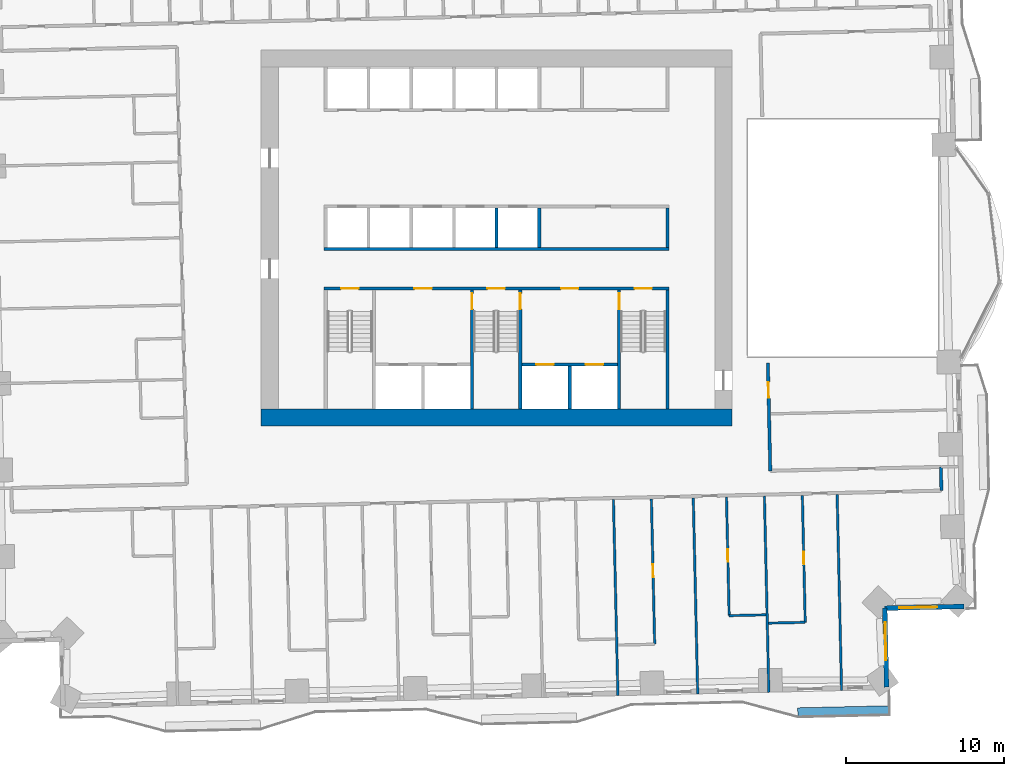
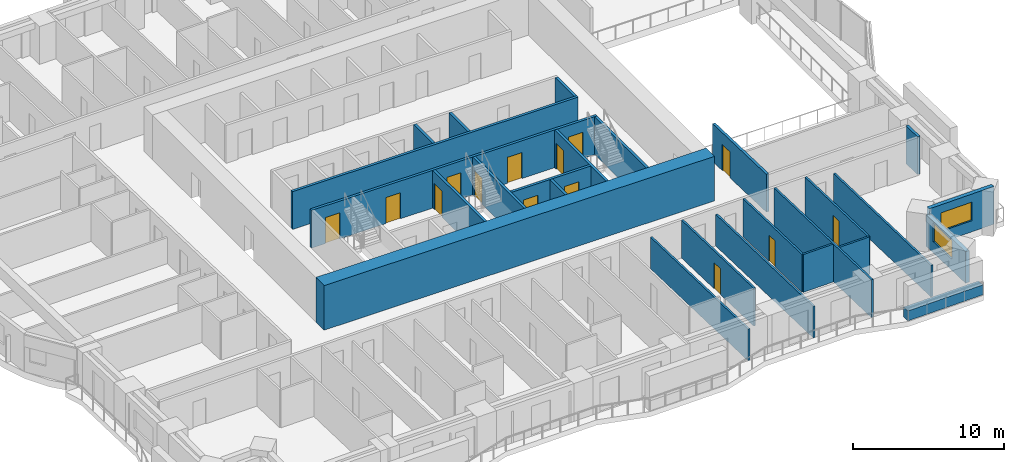
# One storey, part 7 of 16: 26 walls, 14 doors, 2 windows, 16 openings.
"""IFC4 building model written with IfcOpenShell, lengths in metres."""

from ifc_helpers import new_model, si_unit, direction, frame, frame_2d, origin, place, context, subcontext, project, spatial, rectangle, extrude, material, layer, layer_set, type_object, element, fill, save


model = new_model("IFC4")

# Units and contexts
model_context = context("Model", 3, precision=1e-05, world=origin(), true_north=direction((0.0, 1.0)))
body_context = subcontext(model_context, "Body", "Model", "MODEL_VIEW")
ifc_project = project(units=[si_unit("LENGTHUNIT", "METRE"), si_unit("AREAUNIT", "SQUARE_METRE"), si_unit("VOLUMEUNIT", "CUBIC_METRE"), si_unit("PLANEANGLEUNIT", "RADIAN"), si_unit("MASSUNIT", "GRAM", prefix="KILO")], contexts=[model_context])

# Site, building, storey
site_placement = place(None, origin())
site = spatial("IfcSite", under=ifc_project, at=site_placement, CompositionType="ELEMENT")
building_placement = place(site_placement, origin())
building = spatial("IfcBuilding", under=site, at=building_placement, Name="Mangrove Gate Tower", CompositionType="ELEMENT")
storey_placement = place(building_placement, frame((0.0, 0.0, 48.5)))
storey = spatial("IfcBuildingStorey", under=building, at=storey_placement, Name="L11", CompositionType="ELEMENT", Elevation=48.5)

# Walls
ifc_material_1 = material(Name="Concrete C32/40", Category="concrete")
ifc_layer_1 = layer(ifc_material_1, 0.199951171875)
ifc_layer_set_1 = layer_set([ifc_layer_1], Name="Core room wall 200 C32/40")
wall_type_1 = type_object("IfcWallType", Name="Core room wall 200 C32/40", PredefinedType="STANDARD", material=ifc_layer_set_1)
wall_1_placement = place(storey_placement, frame((10.800048828125, -0.60009765625, 0.0), z_axis=(0.0, 0.0, 1.0), x_axis=(0.0, 1.0, 0.0)))
element("IfcWall", 1, at=wall_1_placement, inside=storey, type_object=wall_type_1, Name="WALL-L11-CORE-25", PredefinedType="STANDARD", context=body_context, shape_type="SweptSolid", body=[
    extrude(rectangle(XDim=2.5, YDim=0.199951171875, at=frame_2d((1.25, 0.0))), origin(), (0.0, 0.0, 1.0), 3.050048828125),
])
ifc_material_2 = material(Name="Concrete C70/85", Category="concrete")
ifc_layer_2 = layer(ifc_material_2, 0.199951171875)
ifc_layer_set_2 = layer_set([ifc_layer_2], Name="Core shaft wall 200 C70/85")
wall_type_2 = type_object("IfcWallType", Name="Core shaft wall 200 C70/85", PredefinedType="SHEAR", material=ifc_layer_set_2)
wall_2_placement = place(storey_placement, frame((-10.89990234375, -0.699951171875, 0.0), z_axis=(0.0, 0.0, 1.0), x_axis=(1.0, 0.0, 0.0)))
element("IfcWall", 2, at=wall_2_placement, inside=storey, type_object=wall_type_2, Name="WALL-L11-CORE-6", PredefinedType="SHEAR", context=body_context, shape_type="SweptSolid", body=[
    extrude(rectangle(XDim=21.7998046875, YDim=0.199951171875, at=frame_2d((10.89990234375, 0.0))), origin(), (0.0, 0.0, 1.0), 3.050048828125),
])

# Wall, openings, doors
wall_3_placement = place(storey_placement, frame((1.60009765625, -8.0, 0.0), z_axis=(0.0, 0.0, 1.0), x_axis=(1.0, 0.0, 0.0)))
wall_3 = element("IfcWall", 3, at=wall_3_placement, inside=storey, type_object=wall_type_2, Name="WALL-L11-CORE-17", PredefinedType="SHEAR", context=body_context, shape_type="SweptSolid", body=[
    extrude(rectangle(XDim=6.0498046875, YDim=0.199951171875, at=frame_2d((3.02490234375, 0.0))), origin(), (0.0, 0.0, 1.0), 3.050048828125),
])
opening_1_placement = place(wall_3_placement, frame((0.91259765625, 0.0, 0.0)))
opening_1 = element("IfcOpeningElement", 4, at=opening_1_placement, cuts=wall_3, Name="Opening LD", PredefinedType="OPENING", context=body_context, shape_type="SweptSolid", body=[
    extrude(rectangle(XDim=1.10009765625, YDim=2.10009765625, at=frame_2d((0.550048828125, 1.050048828125))), frame((0.0, 0.10986328125, 0.0), z_axis=(0.0, -1.0, 0.0), x_axis=(1.0, 0.0, 0.0)), (0.0, 0.0, 1.0), 0.219970703125),
])
opening_2_placement = place(wall_3_placement, frame((4.03759765625, 0.0, 0.0)))
opening_2 = element("IfcOpeningElement", 5, at=opening_2_placement, cuts=wall_3, Name="Opening LD", PredefinedType="OPENING", context=body_context, shape_type="SweptSolid", body=[
    extrude(rectangle(XDim=1.10009765625, YDim=2.10009765625, at=frame_2d((0.550048828125, 1.050048828125))), frame((0.0, 0.10986328125, 0.0), z_axis=(0.0, -1.0, 0.0), x_axis=(1.0, 0.0, 0.0)), (0.0, 0.0, 1.0), 0.219970703125),
])
ifc_material_3 = material(Name="Stainless steel 316", Category="steel")
door_type_1 = type_object("IfcDoorType", Name="Lift landing door 1100x2100", OperationType="SLIDING_TO_LEFT", PredefinedType="DOOR", material=ifc_material_3)
door_1_placement = place(opening_1_placement, origin())
door_1 = element("IfcDoor", 6, at=door_1_placement, inside=storey, type_object=door_type_1, Name="Landing door LD FFL1", OperationType="SLIDING_TO_LEFT", OverallHeight=2.10009765625, OverallWidth=1.10009765625, PredefinedType="DOOR", context=body_context, shape_type="SweptSolid", body=[
    extrude(rectangle(XDim=1.10009765625, YDim=2.10009765625, at=frame_2d((0.550048828125, 1.050048828125))), frame((0.0, 0.02490234375, 0.0), z_axis=(0.0, -1.0, 0.0), x_axis=(1.0, 0.0, 0.0)), (0.0, 0.0, 1.0), 0.050048828125),
])
fill(opening_1, door_1)
door_2_placement = place(opening_2_placement, origin())
door_2 = element("IfcDoor", 7, at=door_2_placement, inside=storey, type_object=door_type_1, Name="Landing door LD FFL2", OperationType="SLIDING_TO_LEFT", OverallHeight=2.10009765625, OverallWidth=1.10009765625, PredefinedType="DOOR", context=body_context, shape_type="SweptSolid", body=[
    extrude(rectangle(XDim=1.10009765625, YDim=2.10009765625, at=frame_2d((0.550048828125, 1.050048828125))), frame((0.0, 0.02490234375, 0.0), z_axis=(0.0, -1.0, 0.0), x_axis=(1.0, 0.0, 0.0)), (0.0, 0.0, 1.0), 0.050048828125),
])
fill(opening_2, door_2)

# Walls
wall_4_placement = place(storey_placement, frame((4.625, -10.800048828125, 0.0), z_axis=(0.0, 0.0, 1.0), x_axis=(0.0, 1.0, 0.0)))
element("IfcWall", 8, at=wall_4_placement, inside=storey, type_object=wall_type_2, Name="WALL-L11-CORE-18", PredefinedType="SHEAR", context=body_context, shape_type="SweptSolid", body=[
    extrude(rectangle(XDim=2.699951171875, YDim=0.199951171875, at=frame_2d((1.35009765625, 0.0))), origin(), (0.0, 0.0, 1.0), 3.050048828125),
])
for number, where, z_axis, x_axis, name in (
    (9, (0.0, -0.60009765625, 0.0), (0.0, 0.0, 1.0), (0.0, 1.0, 0.0), "WALL-L11-CORE-23"),
    (10, (2.699951171875, -0.60009765625, 0.0), (0.0, 0.0, 1.0), (0.0, 1.0, 0.0), "WALL-L11-CORE-24"),
):
    element("IfcWall", number, at=place(storey_placement, frame(where, z_axis=z_axis, x_axis=x_axis)), inside=storey, type_object=wall_type_2, Name=name, PredefinedType="SHEAR", context=body_context, shape_type="SweptSolid", body=[
        extrude(rectangle(XDim=2.5, YDim=0.199951171875, at=frame_2d((1.25, 0.0))), origin(), (0.0, 0.0, 1.0), 3.050048828125),
    ])

# Wall, openings, doors
ifc_material_4 = material(Name="Concrete C70/85", Category="concrete")
ifc_layer_3 = layer(ifc_material_4, 0.199951171875)
ifc_layer_set_3 = layer_set([ifc_layer_3], Name="Core stair wall 200 C70/85")
wall_type_3 = type_object("IfcWallType", Name="Core stair wall 200 C70/85", PredefinedType="SHEAR", material=ifc_layer_set_3)
wall_5_placement = place(storey_placement, frame((-10.89990234375, -3.199951171875, 0.0), z_axis=(0.0, 0.0, 1.0), x_axis=(1.0, 0.0, 0.0)))
wall_5 = element("IfcWall", 11, at=wall_5_placement, inside=storey, type_object=wall_type_3, Name="WALL-L11-CORE-5", PredefinedType="SHEAR", context=body_context, shape_type="SweptSolid", body=[
    extrude(rectangle(XDim=21.7998046875, YDim=0.199951171875, at=frame_2d((10.89990234375, 0.0))), origin(), (0.0, 0.0, 1.0), 3.050048828125),
])
opening_3_placement = place(wall_5_placement, frame((1.074951171875, 0.0, 0.0)))
opening_3 = element("IfcOpeningElement", 12, at=opening_3_placement, cuts=wall_5, Name="Opening STD11", PredefinedType="OPENING", context=body_context, shape_type="SweptSolid", body=[
    extrude(rectangle(XDim=1.10009765625, YDim=2.10009765625, at=frame_2d((0.550048828125, 1.050048828125))), frame((0.0, 0.10986328125, 0.0), z_axis=(0.0, -1.0, 0.0), x_axis=(1.0, 0.0, 0.0)), (0.0, 0.0, 1.0), 0.219970703125),
])
opening_4_placement = place(wall_5_placement, frame((10.324951171875, 0.0, 0.0)))
opening_4 = element("IfcOpeningElement", 13, at=opening_4_placement, cuts=wall_5, Name="Opening STD11", PredefinedType="OPENING", context=body_context, shape_type="SweptSolid", body=[
    extrude(rectangle(XDim=1.10009765625, YDim=2.10009765625, at=frame_2d((0.550048828125, 1.050048828125))), frame((0.0, 0.10986328125, 0.0), z_axis=(0.0, -1.0, 0.0), x_axis=(1.0, 0.0, 0.0)), (0.0, 0.0, 1.0), 0.219970703125),
])
opening_5_placement = place(wall_5_placement, frame((19.625, 0.0, 0.0)))
opening_5 = element("IfcOpeningElement", 14, at=opening_5_placement, cuts=wall_5, Name="Opening STD11", PredefinedType="OPENING", context=body_context, shape_type="SweptSolid", body=[
    extrude(rectangle(XDim=1.10009765625, YDim=2.10009765625, at=frame_2d((0.550048828125, 1.050048828125))), frame((0.0, 0.10986328125, 0.0), z_axis=(0.0, -1.0, 0.0), x_axis=(1.0, 0.0, 0.0)), (0.0, 0.0, 1.0), 0.219970703125),
])
opening_6_placement = place(wall_5_placement, frame((5.699951171875, 0.0, 0.0)))
opening_6 = element("IfcOpeningElement", 15, at=opening_6_placement, cuts=wall_5, Name="Opening FL", PredefinedType="OPENING", context=body_context, shape_type="SweptSolid", body=[
    extrude(rectangle(XDim=1.10009765625, YDim=2.10009765625, at=frame_2d((0.550048828125, 1.050048828125))), frame((0.0, 0.10986328125, 0.0), z_axis=(0.0, -1.0, 0.0), x_axis=(1.0, 0.0, 0.0)), (0.0, 0.0, 1.0), 0.219970703125),
])
opening_7_placement = place(wall_5_placement, frame((14.97509765625, 0.0, 0.0)))
opening_7 = element("IfcOpeningElement", 16, at=opening_7_placement, cuts=wall_5, Name="Opening FL", PredefinedType="OPENING", context=body_context, shape_type="SweptSolid", body=[
    extrude(rectangle(XDim=1.10009765625, YDim=2.10009765625, at=frame_2d((0.550048828125, 1.050048828125))), frame((0.0, 0.10986328125, 0.0), z_axis=(0.0, -1.0, 0.0), x_axis=(1.0, 0.0, 0.0)), (0.0, 0.0, 1.0), 0.219970703125),
])
ifc_material_5 = material(Name="Fire-rated steel door set", Category="steel")
door_type_2 = type_object("IfcDoorType", Name="Lobby door FD60 1100x2100", OperationType="SINGLE_SWING_LEFT", PredefinedType="DOOR", material=ifc_material_5)
door_3_placement = place(opening_6_placement, origin())
door_3 = element("IfcDoor", 17, at=door_3_placement, inside=storey, type_object=door_type_2, Name="Lobby door service lobby", OperationType="SINGLE_SWING_LEFT", OverallHeight=2.10009765625, OverallWidth=1.10009765625, PredefinedType="DOOR", context=body_context, shape_type="SweptSolid", body=[
    extrude(rectangle(XDim=1.10009765625, YDim=2.10009765625, at=frame_2d((0.550048828125, 1.050048828125))), frame((0.0, 0.02490234375, 0.0), z_axis=(0.0, -1.0, 0.0), x_axis=(1.0, 0.0, 0.0)), (0.0, 0.0, 1.0), 0.050048828125),
])
fill(opening_6, door_3)
door_4_placement = place(opening_7_placement, origin())
door_4 = element("IfcDoor", 18, at=door_4_placement, inside=storey, type_object=door_type_2, Name="Lobby door fire-fighting lobby", OperationType="SINGLE_SWING_LEFT", OverallHeight=2.10009765625, OverallWidth=1.10009765625, PredefinedType="DOOR", context=body_context, shape_type="SweptSolid", body=[
    extrude(rectangle(XDim=1.10009765625, YDim=2.10009765625, at=frame_2d((0.550048828125, 1.050048828125))), frame((0.0, 0.02490234375, 0.0), z_axis=(0.0, -1.0, 0.0), x_axis=(1.0, 0.0, 0.0)), (0.0, 0.0, 1.0), 0.050048828125),
])
fill(opening_7, door_4)
ifc_material_6 = material(Name="Fire-rated steel door set", Category="steel")
door_type_3 = type_object("IfcDoorType", Name="Stair door FD60 1100x2100", OperationType="SINGLE_SWING_RIGHT", PredefinedType="DOOR", material=ifc_material_6)
door_5_placement = place(opening_3_placement, origin())
door_5 = element("IfcDoor", 19, at=door_5_placement, inside=storey, type_object=door_type_3, Name="Stair door Stair 1", OperationType="SINGLE_SWING_RIGHT", OverallHeight=2.10009765625, OverallWidth=1.10009765625, PredefinedType="DOOR", context=body_context, shape_type="SweptSolid", body=[
    extrude(rectangle(XDim=1.10009765625, YDim=2.10009765625, at=frame_2d((0.550048828125, 1.050048828125))), frame((0.0, 0.02490234375, 0.0), z_axis=(0.0, -1.0, 0.0), x_axis=(1.0, 0.0, 0.0)), (0.0, 0.0, 1.0), 0.050048828125),
])
fill(opening_3, door_5)
door_6_placement = place(opening_4_placement, origin())
door_6 = element("IfcDoor", 20, at=door_6_placement, inside=storey, type_object=door_type_3, Name="Stair door Stair 2", OperationType="SINGLE_SWING_RIGHT", OverallHeight=2.10009765625, OverallWidth=1.10009765625, PredefinedType="DOOR", context=body_context, shape_type="SweptSolid", body=[
    extrude(rectangle(XDim=1.10009765625, YDim=2.10009765625, at=frame_2d((0.550048828125, 1.050048828125))), frame((0.0, 0.02490234375, 0.0), z_axis=(0.0, -1.0, 0.0), x_axis=(1.0, 0.0, 0.0)), (0.0, 0.0, 1.0), 0.050048828125),
])
fill(opening_4, door_6)
door_7_placement = place(opening_5_placement, origin())
door_7 = element("IfcDoor", 21, at=door_7_placement, inside=storey, type_object=door_type_3, Name="Stair door Stair 3", OperationType="SINGLE_SWING_RIGHT", OverallHeight=2.10009765625, OverallWidth=1.10009765625, PredefinedType="DOOR", context=body_context, shape_type="SweptSolid", body=[
    extrude(rectangle(XDim=1.10009765625, YDim=2.10009765625, at=frame_2d((0.550048828125, 1.050048828125))), frame((0.0, 0.02490234375, 0.0), z_axis=(0.0, -1.0, 0.0), x_axis=(1.0, 0.0, 0.0)), (0.0, 0.0, 1.0), 0.050048828125),
])
fill(opening_5, door_7)

# Wall, opening, door
wall_6_placement = place(storey_placement, frame((-1.550048828125, -10.800048828125, 0.0), z_axis=(0.0, 0.0, 1.0), x_axis=(0.0, 1.0, 0.0)))
wall_6 = element("IfcWall", 22, at=wall_6_placement, inside=storey, type_object=wall_type_3, Name="WALL-L11-CORE-11", PredefinedType="SHEAR", context=body_context, shape_type="SweptSolid", body=[
    extrude(rectangle(XDim=7.5, YDim=0.199951171875, at=frame_2d((3.75, 0.0))), origin(), (0.0, 0.0, 1.0), 3.050048828125),
])
opening_8_placement = place(wall_6_placement, frame((6.300048828125, 0.0, 0.0)))
opening_8 = element("IfcOpeningElement", 23, at=opening_8_placement, cuts=wall_6, Name="Opening STD10", PredefinedType="OPENING", context=body_context, shape_type="SweptSolid", body=[
    extrude(rectangle(XDim=1.0, YDim=2.10009765625, at=frame_2d((0.5, 1.050048828125))), frame((0.0, 0.10986328125, 0.0), z_axis=(0.0, -1.0, 0.0), x_axis=(1.0, 0.0, 0.0)), (0.0, 0.0, 1.0), 0.219970703125),
])
ifc_material_7 = material(Name="Fire-rated steel door set", Category="steel")
door_type_4 = type_object("IfcDoorType", Name="Stair door FD60 1000x2100", OperationType="SINGLE_SWING_RIGHT", PredefinedType="DOOR", material=ifc_material_7)
door_8_placement = place(opening_8_placement, origin())
door_8 = element("IfcDoor", 24, at=door_8_placement, inside=storey, type_object=door_type_4, Name="Stair door Stair 2 from service lobby", OperationType="SINGLE_SWING_RIGHT", OverallHeight=2.10009765625, OverallWidth=1.0, PredefinedType="DOOR", context=body_context, shape_type="SweptSolid", body=[
    extrude(rectangle(XDim=1.0, YDim=2.10009765625, at=frame_2d((0.5, 1.050048828125))), frame((0.0, 0.02490234375, 0.0), z_axis=(0.0, -1.0, 0.0), x_axis=(1.0, 0.0, 0.0)), (0.0, 0.0, 1.0), 0.050048828125),
])
fill(opening_8, door_8)

wall_7_placement = place(storey_placement, frame((1.5, -10.800048828125, 0.0), z_axis=(0.0, 0.0, 1.0), x_axis=(0.0, 1.0, 0.0)))
wall_7 = element("IfcWall", 25, at=wall_7_placement, inside=storey, type_object=wall_type_3, Name="WALL-L11-CORE-12", PredefinedType="SHEAR", context=body_context, shape_type="SweptSolid", body=[
    extrude(rectangle(XDim=7.5, YDim=0.199951171875, at=frame_2d((3.75, 0.0))), origin(), (0.0, 0.0, 1.0), 3.050048828125),
])
opening_9_placement = place(wall_7_placement, frame((6.300048828125, 0.0, 0.0)))
opening_9 = element("IfcOpeningElement", 26, at=opening_9_placement, cuts=wall_7, Name="Opening STD10", PredefinedType="OPENING", context=body_context, shape_type="SweptSolid", body=[
    extrude(rectangle(XDim=1.0, YDim=2.10009765625, at=frame_2d((0.5, 1.050048828125))), frame((0.0, 0.10986328125, 0.0), z_axis=(0.0, -1.0, 0.0), x_axis=(1.0, 0.0, 0.0)), (0.0, 0.0, 1.0), 0.219970703125),
])
door_9_placement = place(opening_9_placement, origin())
door_9 = element("IfcDoor", 27, at=door_9_placement, inside=storey, type_object=door_type_4, Name="Stair door Stair 2 from fire-fighting lobby", OperationType="SINGLE_SWING_RIGHT", OverallHeight=2.10009765625, OverallWidth=1.0, PredefinedType="DOOR", context=body_context, shape_type="SweptSolid", body=[
    extrude(rectangle(XDim=1.0, YDim=2.10009765625, at=frame_2d((0.5, 1.050048828125))), frame((0.0, 0.02490234375, 0.0), z_axis=(0.0, -1.0, 0.0), x_axis=(1.0, 0.0, 0.0)), (0.0, 0.0, 1.0), 0.050048828125),
])
fill(opening_9, door_9)

wall_8_placement = place(storey_placement, frame((7.75, -10.800048828125, 0.0), z_axis=(0.0, 0.0, 1.0), x_axis=(0.0, 1.0, 0.0)))
wall_8 = element("IfcWall", 28, at=wall_8_placement, inside=storey, type_object=wall_type_3, Name="WALL-L11-CORE-13", PredefinedType="SHEAR", context=body_context, shape_type="SweptSolid", body=[
    extrude(rectangle(XDim=7.5, YDim=0.199951171875, at=frame_2d((3.75, 0.0))), origin(), (0.0, 0.0, 1.0), 3.050048828125),
])
opening_10_placement = place(wall_8_placement, frame((6.300048828125, 0.0, 0.0)))
opening_10 = element("IfcOpeningElement", 29, at=opening_10_placement, cuts=wall_8, Name="Opening STD10", PredefinedType="OPENING", context=body_context, shape_type="SweptSolid", body=[
    extrude(rectangle(XDim=1.0, YDim=2.10009765625, at=frame_2d((0.5, 1.050048828125))), frame((0.0, 0.10986328125, 0.0), z_axis=(0.0, -1.0, 0.0), x_axis=(1.0, 0.0, 0.0)), (0.0, 0.0, 1.0), 0.219970703125),
])
door_10_placement = place(opening_10_placement, origin())
door_10 = element("IfcDoor", 30, at=door_10_placement, inside=storey, type_object=door_type_4, Name="Stair door Stair 3 from fire-fighting lobby", OperationType="SINGLE_SWING_RIGHT", OverallHeight=2.10009765625, OverallWidth=1.0, PredefinedType="DOOR", context=body_context, shape_type="SweptSolid", body=[
    extrude(rectangle(XDim=1.0, YDim=2.10009765625, at=frame_2d((0.5, 1.050048828125))), frame((0.0, 0.02490234375, 0.0), z_axis=(0.0, -1.0, 0.0), x_axis=(1.0, 0.0, 0.0)), (0.0, 0.0, 1.0), 0.050048828125),
])
fill(opening_10, door_10)

# Walls
wall_9_placement = place(storey_placement, frame((10.800048828125, -10.800048828125, 0.0), z_axis=(0.0, 0.0, 1.0), x_axis=(0.0, 1.0, 0.0)))
element("IfcWall", 31, at=wall_9_placement, inside=storey, type_object=wall_type_3, Name="WALL-L11-CORE-14", PredefinedType="SHEAR", context=body_context, shape_type="SweptSolid", body=[
    extrude(rectangle(XDim=7.5, YDim=0.199951171875, at=frame_2d((3.75, 0.0))), origin(), (0.0, 0.0, 1.0), 3.050048828125),
])
ifc_material_8 = material(Name="Concrete C70/85", Category="concrete")
ifc_layer_4 = layer(ifc_material_8, 1.10009765625)
ifc_layer_set_4 = layer_set([ifc_layer_4], Name="Core wall 1100 C70/85")
wall_type_4 = type_object("IfcWallType", Name="Core wall 1100 C70/85", PredefinedType="SHEAR", material=ifc_layer_set_4)
wall_10_placement = place(storey_placement, frame((-14.89990234375, -11.35009765625, 0.0), z_axis=(0.0, 0.0, 1.0), x_axis=(1.0, 0.0, 0.0)))
element("IfcWall", 32, at=wall_10_placement, inside=storey, type_object=wall_type_4, Name="WALL-L11-CORE-1", PredefinedType="SHEAR", context=body_context, shape_type="SweptSolid", body=[
    extrude(rectangle(XDim=29.7998046875, YDim=1.10009765625, at=frame_2d((14.89990234375, 0.0))), origin(), (0.0, 0.0, 1.0), 3.60009765625),
])
ifc_material_9 = material(Name="Gypsum board on steel stud, EI 60", Category="steel")
ifc_layer_5 = layer(ifc_material_9, 0.199951171875)
ifc_layer_set_5 = layer_set([ifc_layer_5], Name="Corridor wall EI 60")
wall_type_5 = type_object("IfcWallType", Name="Corridor wall EI 60", PredefinedType="PARTITIONING", material=ifc_layer_set_5)
wall_11_placement = place(storey_placement, frame((28.133056640625, -15.97900390625, 0.0), z_axis=(0.0, 0.0, 1.0), x_axis=(-0.022632637625, 0.99974384905, 0.0)))
element("IfcWall", 33, at=wall_11_placement, inside=storey, type_object=wall_type_5, Name="WALL-L11-033", PredefinedType="PARTITIONING", context=body_context, shape_type="SweptSolid", body=[
    extrude(rectangle(XDim=1.49951171875, YDim=0.199951171875, at=frame_2d((0.749755859375, 0.0))), origin(), (0.0, 0.0, 1.0), 3.050048828125),
])

# Wall, opening, door
wall_12_placement = place(storey_placement, frame((17.31103515625, -14.72412109375, 0.0), z_axis=(0.0, 0.0, 1.0), x_axis=(-0.022562209343, 0.999745440955, 0.0)))
wall_12 = element("IfcWall", 34, at=wall_12_placement, inside=storey, type_object=wall_type_5, Name="WALL-L11-038", PredefinedType="PARTITIONING", context=body_context, shape_type="SweptSolid", body=[
    extrude(rectangle(XDim=6.827880859375, YDim=0.199951171875, at=frame_2d((3.4140625, 0.0))), origin(), (0.0, 0.0, 1.0), 3.050048828125),
])
opening_11_placement = place(wall_12_placement, frame((4.612060546875, 0.0, 0.0)))
opening_11 = element("IfcOpeningElement", 35, at=opening_11_placement, cuts=wall_12, Name="Opening AD", PredefinedType="OPENING", context=body_context, shape_type="SweptSolid", body=[
    extrude(rectangle(XDim=1.0, YDim=2.10009765625, at=frame_2d((0.5, 1.050048828125))), frame((0.0, 0.10986328125, 0.0), z_axis=(0.0, -1.0, 0.0), x_axis=(1.0, 0.0, 0.0)), (0.0, 0.0, 1.0), 0.219970703125),
])
ifc_material_10 = material(Name="Timber door leaf", Category="wood")
door_type_5 = type_object("IfcDoorType", Name="Amenity door 1000", OperationType="SINGLE_SWING_LEFT", PredefinedType="DOOR", material=ifc_material_10)
door_11_placement = place(opening_11_placement, origin())
door_11 = element("IfcDoor", 36, at=door_11_placement, inside=storey, type_object=door_type_5, Name="DOOR-L11-STU-c3b", OperationType="SINGLE_SWING_RIGHT", OverallHeight=2.10009765625, OverallWidth=1.0, PredefinedType="DOOR", context=body_context, shape_type="SweptSolid", body=[
    extrude(rectangle(XDim=1.0, YDim=2.10009765625, at=frame_2d((0.5, 1.050048828125))), frame((0.0, 0.02490234375, 0.0), z_axis=(0.0, -1.0, 0.0), x_axis=(1.0, 0.0, 0.0)), (0.0, 0.0, 1.0), 0.050048828125),
])
fill(opening_11, door_11)

# Wall, opening, window
ifc_material_11 = material(Name="Limestone", Category="masonry")
ifc_layer_6 = layer(ifc_material_11, 0.0400390625, Name="Limestone cladding")
ifc_material_12 = material(Name="Ventilated air gap")
ifc_layer_7 = layer(ifc_material_12, 0.0400390625, Name="Ventilated cavity")
ifc_material_13 = material(Name="Mineral wool insulation")
ifc_layer_8 = layer(ifc_material_13, 0.06005859375, Name="Insulation")
ifc_material_14 = material(Name="Breather membrane")
ifc_layer_9 = layer(ifc_material_14, 0.001953125, Name="Breather membrane")
ifc_material_15 = material(Name="Concrete C20/25 blockwork", Category="masonry")
ifc_layer_10 = layer(ifc_material_15, 0.14990234375, Name="Blockwork backing wall")
ifc_material_16 = material(Name="Gypsum plaster")
ifc_layer_11 = layer(ifc_material_16, 0.008056640625, Name="Internal plaster")
ifc_layer_set_6 = layer_set([ifc_layer_6, ifc_layer_7, ifc_layer_8, ifc_layer_9, ifc_layer_10, ifc_layer_11], Name="External wall 300 limestone cladding")
wall_type_6 = type_object("IfcWallType", Name="External wall 300 limestone cladding", PredefinedType="SOLIDWALL", material=ifc_layer_set_6)
wall_13_placement = place(storey_placement, frame((24.6640625, -28.410888671875, 0.0), z_axis=(0.0, 0.0, 1.0), x_axis=(-0.022802372469, 0.999739992103, 0.0)))
wall_13 = element("IfcWall", 37, at=wall_13_placement, inside=storey, type_object=wall_type_6, Name="WALL-L11-E14", PredefinedType="SOLIDWALL", context=body_context, shape_type="SweptSolid", body=[
    extrude(rectangle(XDim=5.0, YDim=0.300048828125, at=frame_2d((2.5, 0.0))), origin(), (0.0, 0.0, 1.0), 2.550048828125),
])
opening_12_placement = place(wall_13_placement, frame((1.717041015625, 0.0, 0.89990234375)))
opening_12 = element("IfcOpeningElement", 38, at=opening_12_placement, cuts=wall_13, Name="Opening W2", PredefinedType="OPENING", context=body_context, shape_type="SweptSolid", body=[
    extrude(rectangle(XDim=2.39990234375, YDim=1.5, at=frame_2d((1.199951171875, 0.75))), frame((0.0, 0.159912109375, 0.0), z_axis=(0.0, -1.0, 0.0), x_axis=(1.0, 0.0, 0.0)), (0.0, 0.0, 1.0), 0.320068359375),
])
ifc_material_17 = material(Name="Aluminium frame with double-glazed low-e glass", Category="aluminium")
window_type = type_object("IfcWindowType", Name="Corner room window 2400x1500", PartitioningType="DOUBLE_PANEL_VERTICAL", PredefinedType="WINDOW", material=ifc_material_17)
window_1_placement = place(opening_12_placement, origin())
window_1 = element("IfcWindow", 39, at=window_1_placement, inside=storey, type_object=window_type, Name="WIN-L11-E14-1", OverallHeight=1.5, OverallWidth=2.39990234375, PartitioningType="DOUBLE_PANEL_VERTICAL", PredefinedType="WINDOW", context=body_context, shape_type="SweptSolid", body=[
    extrude(rectangle(XDim=2.39990234375, YDim=1.5, at=frame_2d((1.199951171875, 0.75))), frame((0.0, 0.030029296875, 0.0), z_axis=(0.0, -1.0, 0.0), x_axis=(1.0, 0.0, 0.0)), (0.0, 0.0, 1.0), 0.06005859375),
])
fill(opening_12, window_1)

wall_14_placement = place(storey_placement, frame((24.550048828125, -23.412109375, 0.0), z_axis=(0.0, 0.0, 1.0), x_axis=(0.999744450377, 0.022606059803, 0.0)))
wall_14 = element("IfcWall", 40, at=wall_14_placement, inside=storey, type_object=wall_type_6, Name="WALL-L11-S15", PredefinedType="SOLIDWALL", context=body_context, shape_type="SweptSolid", body=[
    extrude(rectangle(XDim=5.000244140625, YDim=0.300048828125, at=frame_2d((2.5, 0.0))), origin(), (0.0, 0.0, 1.0), 3.050048828125),
])
opening_13_placement = place(wall_14_placement, frame((0.9150390625, 0.0, 0.89990234375)))
opening_13 = element("IfcOpeningElement", 41, at=opening_13_placement, cuts=wall_14, Name="Opening W2", PredefinedType="OPENING", context=body_context, shape_type="SweptSolid", body=[
    extrude(rectangle(XDim=2.39990234375, YDim=1.5, at=frame_2d((1.199951171875, 0.75))), frame((0.0, 0.159912109375, 0.0), z_axis=(0.0, -1.0, 0.0), x_axis=(1.0, 0.0, 0.0)), (0.0, 0.0, 1.0), 0.320068359375),
])
window_2_placement = place(opening_13_placement, origin())
window_2 = element("IfcWindow", 42, at=window_2_placement, inside=storey, type_object=window_type, Name="WIN-L11-S15-1", OverallHeight=1.5, OverallWidth=2.39990234375, PartitioningType="DOUBLE_PANEL_VERTICAL", PredefinedType="WINDOW", context=body_context, shape_type="SweptSolid", body=[
    extrude(rectangle(XDim=2.39990234375, YDim=1.5, at=frame_2d((1.199951171875, 0.75))), frame((0.0, 0.030029296875, 0.0), z_axis=(0.0, -1.0, 0.0), x_axis=(1.0, 0.0, 0.0)), (0.0, 0.0, 1.0), 0.06005859375),
])
fill(opening_13, window_2)

# Walls
ifc_material_18 = material(Name="Gypsum board on steel stud, EI 60", Category="steel")
ifc_layer_12 = layer(ifc_material_18, 0.14990234375)
ifc_layer_set_7 = layer_set([ifc_layer_12], Name="Party wall 150 EI 60")
wall_type_7 = type_object("IfcWallType", Name="Party wall 150 EI 60", PredefinedType="PARTITIONING", material=ifc_layer_set_7)
for number, where, z_axis, x_axis, name in (
    (43, (7.672119140625, -28.947021484375, 0.0), (0.0, 0.0, 1.0), (-0.022759867473, 0.999740960666, 0.0), "WALL-L11-007"),
    (44, (12.719970703125, -28.83203125, 0.0), (0.0, 0.0, 1.0), (-0.022661475803, 0.999743195783, 0.0), "WALL-L11-008"),
):
    element("IfcWall", number, at=place(storey_placement, frame(where, z_axis=z_axis, x_axis=x_axis)), inside=storey, type_object=wall_type_7, Name=name, PredefinedType="PARTITIONING", context=body_context, shape_type="SweptSolid", body=[
        extrude(rectangle(XDim=12.400146484375, YDim=0.14990234375, at=frame_2d((6.2001953125, 0.0))), origin(), (0.0, 0.0, 1.0), 2.550048828125),
    ])
wall_15_placement = place(storey_placement, frame((17.218994140625, -28.72998046875, 0.0), z_axis=(0.0, 0.0, 1.0), x_axis=(-0.022661475803, 0.999743195783, 0.0)))
element("IfcWall", 45, at=wall_15_placement, inside=storey, type_object=wall_type_7, Name="WALL-L11-009", PredefinedType="PARTITIONING", context=body_context, shape_type="SweptSolid", body=[
    extrude(rectangle(XDim=12.400146484375, YDim=0.14990234375, at=frame_2d((6.2001953125, 0.0))), origin(), (0.0, 0.0, 1.0), 3.050048828125),
])
wall_16_placement = place(storey_placement, frame((21.818115234375, -28.6259765625, 0.0), z_axis=(0.0, 0.0, 1.0), x_axis=(-0.022661475803, 0.999743195783, 0.0)))
element("IfcWall", 46, at=wall_16_placement, inside=storey, type_object=wall_type_7, Name="WALL-L11-010", PredefinedType="PARTITIONING", context=body_context, shape_type="SweptSolid", body=[
    extrude(rectangle(XDim=12.400146484375, YDim=0.14990234375, at=frame_2d((6.2001953125, 0.0))), origin(), (0.0, 0.0, 1.0), 2.550048828125),
])

# Wall, opening, door
wall_17_placement = place(storey_placement, frame((9.998046875, -25.693115234375, 0.0), z_axis=(0.0, 0.0, 1.0), x_axis=(-0.022608685365, 0.999744391005, 0.0)))
wall_17 = element("IfcWall", 47, at=wall_17_placement, inside=storey, type_object=wall_type_7, Name="WALL-L11-012", PredefinedType="PARTITIONING", context=body_context, shape_type="SweptSolid", body=[
    extrude(rectangle(XDim=9.200439453125, YDim=0.14990234375, at=frame_2d((4.60009765625, 0.0))), origin(), (0.0, 0.0, 1.0), 3.050048828125),
])
opening_14_placement = place(wall_17_placement, frame((4.25, 0.0, 0.0)))
opening_14 = element("IfcOpeningElement", 48, at=opening_14_placement, cuts=wall_17, Name="Opening ED", PredefinedType="OPENING", context=body_context, shape_type="SweptSolid", body=[
    extrude(rectangle(XDim=0.800048828125, YDim=2.10009765625, at=frame_2d((0.39990234375, 1.050048828125))), frame((0.0, 0.0849609375, 0.0), z_axis=(0.0, -1.0, 0.0), x_axis=(1.0, 0.0, 0.0)), (0.0, 0.0, 1.0), 0.169921875),
])
ifc_material_19 = material(Name="Timber door leaf", Category="wood")
door_type_6 = type_object("IfcDoorType", Name="En-suite door 800", OperationType="SINGLE_SWING_LEFT", PredefinedType="DOOR", material=ifc_material_19)
door_12_placement = place(opening_14_placement, origin())
door_12 = element("IfcDoor", 49, at=door_12_placement, inside=storey, type_object=door_type_6, Name="DOOR-L11-ENS-c207", OperationType="SINGLE_SWING_LEFT", OverallHeight=2.10009765625, OverallWidth=0.800048828125, PredefinedType="DOOR", context=body_context, shape_type="SweptSolid", body=[
    extrude(rectangle(XDim=0.800048828125, YDim=2.10009765625, at=frame_2d((0.39990234375, 1.050048828125))), frame((0.0, 0.02490234375, 0.0), z_axis=(0.0, -1.0, 0.0), x_axis=(1.0, 0.0, 0.0)), (0.0, 0.0, 1.0), 0.050048828125),
])
fill(opening_14, door_12)

# Wall
wall_18_placement = place(storey_placement, frame((17.195068359375, -24.35888671875, 0.0), z_axis=(0.0, 0.0, 1.0), x_axis=(0.999749744571, 0.022370700241, 0.0)))
element("IfcWall", 50, at=wall_18_placement, inside=storey, type_object=wall_type_7, Name="WALL-L11-021", PredefinedType="PARTITIONING", context=body_context, shape_type="SweptSolid", body=[
    extrude(rectangle(XDim=2.324462890625, YDim=0.14990234375, at=frame_2d((1.162109375, 0.0))), origin(), (0.0, 0.0, 1.0), 3.050048828125),
])

# Wall, opening, door
wall_19_placement = place(storey_placement, frame((19.51904296875, -24.306884765625, 0.0), z_axis=(0.0, 0.0, 1.0), x_axis=(-0.022681348089, 0.999742745134, 0.0)))
wall_19 = element("IfcWall", 51, at=wall_19_placement, inside=storey, type_object=wall_type_7, Name="WALL-L11-022", PredefinedType="PARTITIONING", context=body_context, shape_type="SweptSolid", body=[
    extrude(rectangle(XDim=8.02978515625, YDim=0.14990234375, at=frame_2d((4.014892578125, 0.0))), origin(), (0.0, 0.0, 1.0), 3.050048828125),
])
opening_15_placement = place(wall_19_placement, frame((3.6650390625, 0.0, 0.0)))
opening_15 = element("IfcOpeningElement", 52, at=opening_15_placement, cuts=wall_19, Name="Opening ED", PredefinedType="OPENING", context=body_context, shape_type="SweptSolid", body=[
    extrude(rectangle(XDim=0.800048828125, YDim=2.10009765625, at=frame_2d((0.39990234375, 1.050048828125))), frame((0.0, 0.0849609375, 0.0), z_axis=(0.0, -1.0, 0.0), x_axis=(1.0, 0.0, 0.0)), (0.0, 0.0, 1.0), 0.169921875),
])
door_13_placement = place(opening_15_placement, origin())
door_13 = element("IfcDoor", 53, at=door_13_placement, inside=storey, type_object=door_type_6, Name="DOOR-L11-ENS-c309", OperationType="SINGLE_SWING_LEFT", OverallHeight=2.10009765625, OverallWidth=0.800048828125, PredefinedType="DOOR", context=body_context, shape_type="SweptSolid", body=[
    extrude(rectangle(XDim=0.800048828125, YDim=2.10009765625, at=frame_2d((0.39990234375, 1.050048828125))), frame((0.0, 0.02490234375, 0.0), z_axis=(0.0, -1.0, 0.0), x_axis=(1.0, 0.0, 0.0)), (0.0, 0.0, 1.0), 0.050048828125),
])
fill(opening_15, door_13)

# Wall
wall_20_placement = place(storey_placement, frame((14.708984375, -23.885986328125, 0.0), z_axis=(0.0, 0.0, 1.0), x_axis=(0.999740260747, 0.02279059109, 0.0)))
element("IfcWall", 54, at=wall_20_placement, inside=storey, type_object=wall_type_7, Name="WALL-L11-023", PredefinedType="PARTITIONING", context=body_context, shape_type="SweptSolid", body=[
    extrude(rectangle(XDim=2.324462890625, YDim=0.14990234375, at=frame_2d((1.162109375, 0.0))), origin(), (0.0, 0.0, 1.0), 3.050048828125),
])

# Wall, opening, door
wall_21_placement = place(storey_placement, frame((14.708984375, -23.885986328125, 0.0), z_axis=(0.0, 0.0, 1.0), x_axis=(-0.022656334507, 0.999743312309, 0.0)))
wall_21 = element("IfcWall", 55, at=wall_21_placement, inside=storey, type_object=wall_type_7, Name="WALL-L11-024", PredefinedType="PARTITIONING", context=body_context, shape_type="SweptSolid", body=[
    extrude(rectangle(XDim=7.5, YDim=0.14990234375, at=frame_2d((3.75, 0.0))), origin(), (0.0, 0.0, 1.0), 3.050048828125),
])
opening_16_placement = place(wall_21_placement, frame((3.39990234375, 0.0, 0.0)))
opening_16 = element("IfcOpeningElement", 56, at=opening_16_placement, cuts=wall_21, Name="Opening ED", PredefinedType="OPENING", context=body_context, shape_type="SweptSolid", body=[
    extrude(rectangle(XDim=0.800048828125, YDim=2.10009765625, at=frame_2d((0.39990234375, 1.050048828125))), frame((0.0, 0.0849609375, 0.0), z_axis=(0.0, -1.0, 0.0), x_axis=(1.0, 0.0, 0.0)), (0.0, 0.0, 1.0), 0.169921875),
])
door_14_placement = place(opening_16_placement, origin())
door_14 = element("IfcDoor", 57, at=door_14_placement, inside=storey, type_object=door_type_6, Name="DOOR-L11-ENS-c208", OperationType="SINGLE_SWING_RIGHT", OverallHeight=2.10009765625, OverallWidth=0.800048828125, PredefinedType="DOOR", context=body_context, shape_type="SweptSolid", body=[
    extrude(rectangle(XDim=0.800048828125, YDim=2.10009765625, at=frame_2d((0.39990234375, 1.050048828125))), frame((0.0, 0.02490234375, 0.0), z_axis=(0.0, -1.0, 0.0), x_axis=(1.0, 0.0, 0.0)), (0.0, 0.0, 1.0), 0.050048828125),
])
fill(opening_16, door_14)

# Wall
ifc_material_20 = material(Name="Concrete C32/40", Category="concrete")
ifc_layer_13 = layer(ifc_material_20, 0.199951171875, Name="Planter trough wall")
ifc_material_21 = material(Name="Bituminous waterproofing membrane")
ifc_layer_14 = layer(ifc_material_21, 0.0048828125, Name="Waterproofing")
ifc_material_22 = material(Name="Drainage board and gravel")
ifc_layer_15 = layer(ifc_material_22, 0.044921875, Name="Drainage layer")
ifc_material_23 = material(Name="Planting soil")
ifc_layer_16 = layer(ifc_material_23, 0.300048828125, Name="Growing medium")
ifc_layer_set_8 = layer_set([ifc_layer_13, ifc_layer_14, ifc_layer_15, ifc_layer_16], Name="Planter wall 550 C32/40")
wall_type_8 = type_object("IfcWallType", Name="Planter wall 550 C32/40", PredefinedType="USERDEFINED", material=ifc_layer_set_8)
wall_22_placement = place(storey_placement, frame((19.048095703125, -29.988037109375, 0.0), z_axis=(0.0, 0.0, 1.0), x_axis=(0.999744436995, 0.02260665162, 0.0)))
element("IfcWall", 58, at=wall_22_placement, inside=storey, type_object=wall_type_8, Name="PLANTER L11 S1.2", ObjectType="PLANTER", PredefinedType="USERDEFINED", context=body_context, shape_type="SweptSolid", body=[
    extrude(rectangle(XDim=5.79931640625, YDim=0.550048828125, at=frame_2d((2.899658203125, 0.0))), origin(), (0.0, 0.0, 1.0), 0.800048828125),
])

save(model, "model.ifc")
